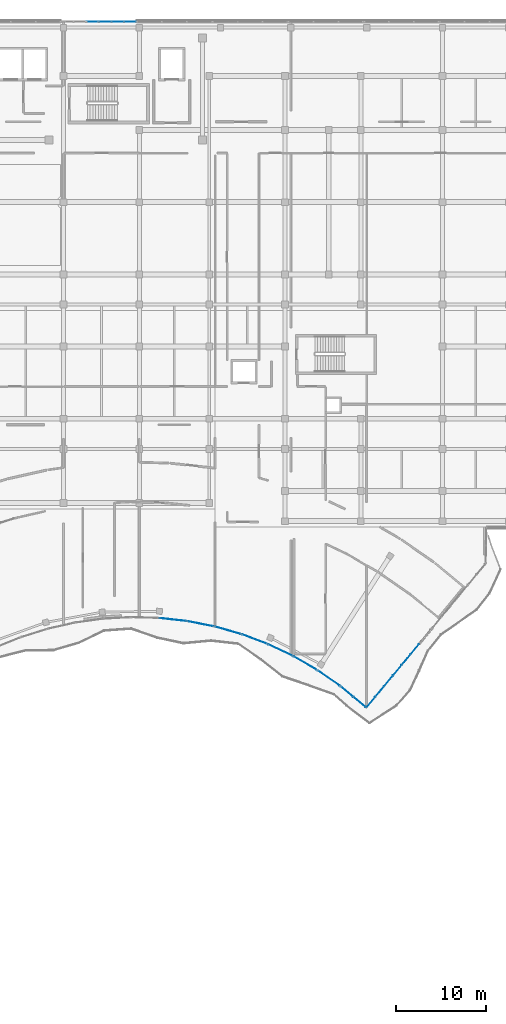
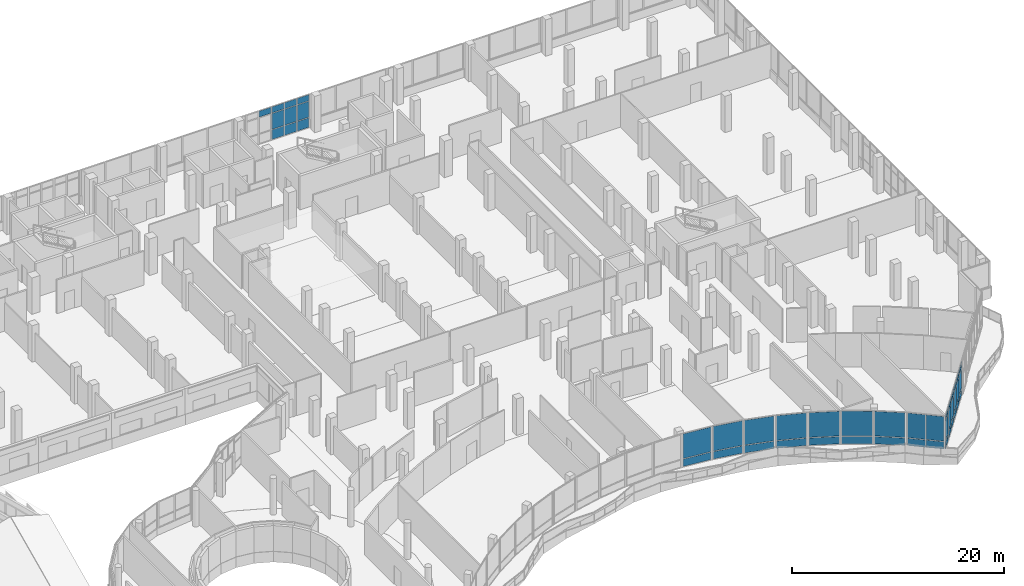
# One storey, part 156 of 184: 46 plates, 10 elements without a shape of their own.
"""IFC4 building model written with IfcOpenShell, lengths in metres."""

from ifc_helpers import new_model, si_unit, direction, frame, origin, origin_2d, place, context, subcontext, project, spatial, rectangle, extrude, material, layer, layer_set, type_object, element, aggregate, save


model = new_model("IFC4")

# Units and contexts
model_context = context("Model", 3, precision=1e-05, world=origin(), true_north=direction((0.0, 1.0)))
body_context = subcontext(model_context, "Body", "Model", "MODEL_VIEW")
ifc_project = project(units=[si_unit("LENGTHUNIT", "METRE"), si_unit("AREAUNIT", "SQUARE_METRE"), si_unit("VOLUMEUNIT", "CUBIC_METRE"), si_unit("PLANEANGLEUNIT", "RADIAN"), si_unit("MASSUNIT", "GRAM", prefix="KILO")], contexts=[model_context])

# Site, building, storey
site_placement = place(None, origin())
site = spatial("IfcSite", under=ifc_project, at=site_placement, CompositionType="ELEMENT")
building_placement = place(site_placement, origin())
building = spatial("IfcBuilding", under=site, at=building_placement, Name="Selatvlak General Hospital", CompositionType="ELEMENT")
storey_placement = place(building_placement, frame((0.0, 0.0, 15.0)))
storey = spatial("IfcBuildingStorey", under=building, at=storey_placement, Name="L03", CompositionType="ELEMENT", Elevation=15.0)

# Curtain wall, plates
ifc_material = material(Name="Solar-control Low-E double glazing", Category="glass")
curtain_wall_type_1 = type_object("IfcCurtainWallType", Name="CW-CW-04", PredefinedType="USERDEFINED", material=ifc_material)
curtain_wall_1_placement = place(storey_placement, origin())
curtain_wall_1 = element("IfcCurtainWall", 1, at=curtain_wall_1_placement, inside=storey, type_object=curtain_wall_type_1, Name="Glazed facade curtain wall CW-L03-0378", ObjectType="STICK GLAZING WALL", PredefinedType="USERDEFINED")
ifc_layer = layer(ifc_material, 0.028076171875, Name="Solar-control Low-E double glazing", Category="glass")
ifc_layer_set = layer_set([ifc_layer], Name="Solar-control Low-E double glazing")
plate_type = type_object("IfcPlateType", Name="CWP-01", PredefinedType="CURTAIN_PANEL", material=ifc_layer_set)
plate_1_placement = place(storey_placement, frame((135.213134765625, 120.0, 3.12744140625), z_axis=(0.0, 0.0, 1.0), x_axis=(1.0, 0.0, 0.0)))
plate_1 = element("IfcPlate", 2, at=plate_1_placement, type_object=plate_type, Name="CW-04 panel 3.3", PredefinedType="CURTAIN_PANEL", context=body_context, shape_type="SweptSolid", body=[
    extrude(rectangle(XDim=1.32666015625, YDim=0.028076171875, at=origin_2d()), origin(), (0.0, 0.0, 1.0), 0.702392578125),
])
plate_2_placement = place(storey_placement, frame((136.604736328125, 120.0, 0.06494140625), z_axis=(0.0, 0.0, 1.0), x_axis=(1.0, 0.0, 0.0)))
plate_2 = element("IfcPlate", 3, at=plate_2_placement, type_object=plate_type, Name="CW-04 panel 4.1", PredefinedType="CURTAIN_PANEL", context=body_context, shape_type="SweptSolid", body=[
    extrude(rectangle(XDim=1.32666015625, YDim=0.028076171875, at=origin_2d()), origin(), (0.0, 0.0, 1.0), 1.1025390625),
])
plate_3_placement = place(storey_placement, frame((136.604736328125, 120.0, 1.232421875), z_axis=(0.0, 0.0, 1.0), x_axis=(1.0, 0.0, 0.0)))
plate_3 = element("IfcPlate", 4, at=plate_3_placement, type_object=plate_type, Name="CW-04 panel 4.2", PredefinedType="CURTAIN_PANEL", context=body_context, shape_type="SweptSolid", body=[
    extrude(rectangle(XDim=1.32666015625, YDim=0.028076171875, at=origin_2d()), origin(), (0.0, 0.0, 1.0), 1.830078125),
])
plate_4_placement = place(storey_placement, frame((136.604736328125, 120.0, 3.12744140625), z_axis=(0.0, 0.0, 1.0), x_axis=(1.0, 0.0, 0.0)))
plate_4 = element("IfcPlate", 5, at=plate_4_placement, type_object=plate_type, Name="CW-04 panel 4.3", PredefinedType="CURTAIN_PANEL", context=body_context, shape_type="SweptSolid", body=[
    extrude(rectangle(XDim=1.32666015625, YDim=0.028076171875, at=origin_2d()), origin(), (0.0, 0.0, 1.0), 0.702392578125),
])
plate_5_placement = place(storey_placement, frame((137.99658203125, 120.0, 0.06494140625), z_axis=(0.0, 0.0, 1.0), x_axis=(1.0, 0.0, 0.0)))
plate_5 = element("IfcPlate", 6, at=plate_5_placement, type_object=plate_type, Name="CW-04 panel 5.1", PredefinedType="CURTAIN_PANEL", context=body_context, shape_type="SweptSolid", body=[
    extrude(rectangle(XDim=1.32666015625, YDim=0.028076171875, at=origin_2d()), origin(), (0.0, 0.0, 1.0), 1.1025390625),
])
plate_6_placement = place(storey_placement, frame((137.99658203125, 120.0, 1.232421875), z_axis=(0.0, 0.0, 1.0), x_axis=(1.0, 0.0, 0.0)))
plate_6 = element("IfcPlate", 7, at=plate_6_placement, type_object=plate_type, Name="CW-04 panel 5.2", PredefinedType="CURTAIN_PANEL", context=body_context, shape_type="SweptSolid", body=[
    extrude(rectangle(XDim=1.32666015625, YDim=0.028076171875, at=origin_2d()), origin(), (0.0, 0.0, 1.0), 1.830078125),
])
plate_7_placement = place(storey_placement, frame((137.99658203125, 120.0, 3.12744140625), z_axis=(0.0, 0.0, 1.0), x_axis=(1.0, 0.0, 0.0)))
plate_7 = element("IfcPlate", 8, at=plate_7_placement, type_object=plate_type, Name="CW-04 panel 5.3", PredefinedType="CURTAIN_PANEL", context=body_context, shape_type="SweptSolid", body=[
    extrude(rectangle(XDim=1.32666015625, YDim=0.028076171875, at=origin_2d()), origin(), (0.0, 0.0, 1.0), 0.702392578125),
])
plate_8_placement = place(storey_placement, frame((139.371826171875, 120.0, 0.06494140625), z_axis=(0.0, 0.0, 1.0), x_axis=(1.0, 0.0, 0.0)))
plate_8 = element("IfcPlate", 9, at=plate_8_placement, type_object=plate_type, Name="CW-04 panel 6.1", PredefinedType="CURTAIN_PANEL", context=body_context, shape_type="SweptSolid", body=[
    extrude(rectangle(XDim=1.294189453125, YDim=0.028076171875, at=origin_2d()), origin(), (0.0, 0.0, 1.0), 1.1025390625),
])
plate_9_placement = place(storey_placement, frame((139.371826171875, 120.0, 1.232421875), z_axis=(0.0, 0.0, 1.0), x_axis=(1.0, 0.0, 0.0)))
plate_9 = element("IfcPlate", 10, at=plate_9_placement, type_object=plate_type, Name="CW-04 panel 6.2", PredefinedType="CURTAIN_PANEL", context=body_context, shape_type="SweptSolid", body=[
    extrude(rectangle(XDim=1.294189453125, YDim=0.028076171875, at=origin_2d()), origin(), (0.0, 0.0, 1.0), 1.830078125),
])
plate_10_placement = place(storey_placement, frame((139.371826171875, 120.0, 3.12744140625), z_axis=(0.0, 0.0, 1.0), x_axis=(1.0, 0.0, 0.0)))
plate_10 = element("IfcPlate", 11, at=plate_10_placement, type_object=plate_type, Name="CW-04 panel 6.3", PredefinedType="CURTAIN_PANEL", context=body_context, shape_type="SweptSolid", body=[
    extrude(rectangle(XDim=1.294189453125, YDim=0.028076171875, at=origin_2d()), origin(), (0.0, 0.0, 1.0), 0.702392578125),
])
aggregate(curtain_wall_1, [plate_1, plate_2, plate_3, plate_4, plate_5, plate_6, plate_7, plate_8, plate_9, plate_10])

curtain_wall_type_2 = type_object("IfcCurtainWallType", Name="CW-CW-01", PredefinedType="USERDEFINED", material=ifc_material)
curtain_wall_2_placement = place(storey_placement, origin())
curtain_wall_2 = element("IfcCurtainWall", 12, at=curtain_wall_2_placement, inside=storey, type_object=curtain_wall_type_2, Name="Glazed facade curtain wall CW-L03-0395", ObjectType="UNITISED CURTAIN WALL", PredefinedType="USERDEFINED")
plate_11_placement = place(storey_placement, frame((170.93896484375, 50.4560546875, 0.06494140625), z_axis=(0.0, 0.0, 1.0), x_axis=(-0.637721247938, -0.770267232802, 0.0)))
plate_11 = element("IfcPlate", 13, at=plate_11_placement, type_object=plate_type, Name="CW-01 panel 1.1", PredefinedType="CURTAIN_PANEL", context=body_context, shape_type="SweptSolid", body=[
    extrude(rectangle(XDim=1.435302734375, YDim=0.028076171875, at=origin_2d()), origin(), (0.0, 0.0, 1.0), 0.802490234375),
])
plate_12_placement = place(storey_placement, frame((170.93896484375, 50.4560546875, 0.9326171875), z_axis=(0.0, 0.0, 1.0), x_axis=(-0.637721247938, -0.770267232802, 0.0)))
plate_12 = element("IfcPlate", 14, at=plate_12_placement, type_object=plate_type, Name="CW-01 panel 1.2", PredefinedType="CURTAIN_PANEL", context=body_context, shape_type="SweptSolid", body=[
    extrude(rectangle(XDim=1.435302734375, YDim=0.028076171875, at=origin_2d()), origin(), (0.0, 0.0, 1.0), 2.280029296875),
])
plate_13_placement = place(storey_placement, frame((170.93896484375, 50.4560546875, 3.27734375), z_axis=(0.0, 0.0, 1.0), x_axis=(-0.637721247938, -0.770267232802, 0.0)))
plate_13 = element("IfcPlate", 15, at=plate_13_placement, type_object=plate_type, Name="CW-01 panel 1.3", PredefinedType="CURTAIN_PANEL", context=body_context, shape_type="SweptSolid", body=[
    extrude(rectangle(XDim=1.435302734375, YDim=0.028076171875, at=origin_2d()), origin(), (0.0, 0.0, 1.0), 0.552490234375),
])
plate_14_placement = place(storey_placement, frame((169.9716796875, 49.2880859375, 0.06494140625), z_axis=(0.0, 0.0, 1.0), x_axis=(-0.637721247938, -0.770267232802, 0.0)))
plate_14 = element("IfcPlate", 16, at=plate_14_placement, type_object=plate_type, Name="CW-01 panel 2.1", PredefinedType="CURTAIN_PANEL", context=body_context, shape_type="SweptSolid", body=[
    extrude(rectangle(XDim=1.4677734375, YDim=0.028076171875, at=origin_2d()), origin(), (0.0, 0.0, 1.0), 0.802490234375),
])
plate_15_placement = place(storey_placement, frame((169.9716796875, 49.2880859375, 0.9326171875), z_axis=(0.0, 0.0, 1.0), x_axis=(-0.637721247938, -0.770267232802, 0.0)))
plate_15 = element("IfcPlate", 17, at=plate_15_placement, type_object=plate_type, Name="CW-01 panel 2.2", PredefinedType="CURTAIN_PANEL", context=body_context, shape_type="SweptSolid", body=[
    extrude(rectangle(XDim=1.4677734375, YDim=0.028076171875, at=origin_2d()), origin(), (0.0, 0.0, 1.0), 2.280029296875),
])
plate_16_placement = place(storey_placement, frame((169.9716796875, 49.2880859375, 3.27734375), z_axis=(0.0, 0.0, 1.0), x_axis=(-0.637721247938, -0.770267232802, 0.0)))
plate_16 = element("IfcPlate", 18, at=plate_16_placement, type_object=plate_type, Name="CW-01 panel 2.3", PredefinedType="CURTAIN_PANEL", context=body_context, shape_type="SweptSolid", body=[
    extrude(rectangle(XDim=1.4677734375, YDim=0.028076171875, at=origin_2d()), origin(), (0.0, 0.0, 1.0), 0.552490234375),
])
plate_17_placement = place(storey_placement, frame((168.994140625, 48.107421875, 0.06494140625), z_axis=(0.0, 0.0, 1.0), x_axis=(-0.637721247938, -0.770267232802, 0.0)))
plate_17 = element("IfcPlate", 19, at=plate_17_placement, type_object=plate_type, Name="CW-01 panel 3.1", PredefinedType="CURTAIN_PANEL", context=body_context, shape_type="SweptSolid", body=[
    extrude(rectangle(XDim=1.4677734375, YDim=0.028076171875, at=origin_2d()), origin(), (0.0, 0.0, 1.0), 0.802490234375),
])
plate_18_placement = place(storey_placement, frame((168.994140625, 48.107421875, 0.9326171875), z_axis=(0.0, 0.0, 1.0), x_axis=(-0.637721247938, -0.770267232802, 0.0)))
plate_18 = element("IfcPlate", 20, at=plate_18_placement, type_object=plate_type, Name="CW-01 panel 3.2", PredefinedType="CURTAIN_PANEL", context=body_context, shape_type="SweptSolid", body=[
    extrude(rectangle(XDim=1.4677734375, YDim=0.028076171875, at=origin_2d()), origin(), (0.0, 0.0, 1.0), 2.280029296875),
])
plate_19_placement = place(storey_placement, frame((168.994140625, 48.107421875, 3.27734375), z_axis=(0.0, 0.0, 1.0), x_axis=(-0.637721247938, -0.770267232802, 0.0)))
plate_19 = element("IfcPlate", 21, at=plate_19_placement, type_object=plate_type, Name="CW-01 panel 3.3", PredefinedType="CURTAIN_PANEL", context=body_context, shape_type="SweptSolid", body=[
    extrude(rectangle(XDim=1.4677734375, YDim=0.028076171875, at=origin_2d()), origin(), (0.0, 0.0, 1.0), 0.552490234375),
])
plate_20_placement = place(storey_placement, frame((168.016845703125, 46.9267578125, 0.06494140625), z_axis=(0.0, 0.0, 1.0), x_axis=(-0.637721247938, -0.770267232802, 0.0)))
plate_20 = element("IfcPlate", 22, at=plate_20_placement, type_object=plate_type, Name="CW-01 panel 4.1", PredefinedType="CURTAIN_PANEL", context=body_context, shape_type="SweptSolid", body=[
    extrude(rectangle(XDim=1.4677734375, YDim=0.028076171875, at=origin_2d()), origin(), (0.0, 0.0, 1.0), 0.802490234375),
])
plate_21_placement = place(storey_placement, frame((168.016845703125, 46.9267578125, 0.9326171875), z_axis=(0.0, 0.0, 1.0), x_axis=(-0.637721247938, -0.770267232802, 0.0)))
plate_21 = element("IfcPlate", 23, at=plate_21_placement, type_object=plate_type, Name="CW-01 panel 4.2", PredefinedType="CURTAIN_PANEL", context=body_context, shape_type="SweptSolid", body=[
    extrude(rectangle(XDim=1.4677734375, YDim=0.028076171875, at=origin_2d()), origin(), (0.0, 0.0, 1.0), 2.280029296875),
])
plate_22_placement = place(storey_placement, frame((168.016845703125, 46.9267578125, 3.27734375), z_axis=(0.0, 0.0, 1.0), x_axis=(-0.637721247938, -0.770267232802, 0.0)))
plate_22 = element("IfcPlate", 24, at=plate_22_placement, type_object=plate_type, Name="CW-01 panel 4.3", PredefinedType="CURTAIN_PANEL", context=body_context, shape_type="SweptSolid", body=[
    extrude(rectangle(XDim=1.4677734375, YDim=0.028076171875, at=origin_2d()), origin(), (0.0, 0.0, 1.0), 0.552490234375),
])
plate_23_placement = place(storey_placement, frame((167.039306640625, 45.74609375, 0.06494140625), z_axis=(0.0, 0.0, 1.0), x_axis=(-0.637721247938, -0.770267232802, 0.0)))
plate_23 = element("IfcPlate", 25, at=plate_23_placement, type_object=plate_type, Name="CW-01 panel 5.1", PredefinedType="CURTAIN_PANEL", context=body_context, shape_type="SweptSolid", body=[
    extrude(rectangle(XDim=1.4677734375, YDim=0.028076171875, at=origin_2d()), origin(), (0.0, 0.0, 1.0), 0.802490234375),
])
plate_24_placement = place(storey_placement, frame((167.039306640625, 45.74609375, 0.9326171875), z_axis=(0.0, 0.0, 1.0), x_axis=(-0.637721247938, -0.770267232802, 0.0)))
plate_24 = element("IfcPlate", 26, at=plate_24_placement, type_object=plate_type, Name="CW-01 panel 5.2", PredefinedType="CURTAIN_PANEL", context=body_context, shape_type="SweptSolid", body=[
    extrude(rectangle(XDim=1.4677734375, YDim=0.028076171875, at=origin_2d()), origin(), (0.0, 0.0, 1.0), 2.280029296875),
])
plate_25_placement = place(storey_placement, frame((167.039306640625, 45.74609375, 3.27734375), z_axis=(0.0, 0.0, 1.0), x_axis=(-0.637721247938, -0.770267232802, 0.0)))
plate_25 = element("IfcPlate", 27, at=plate_25_placement, type_object=plate_type, Name="CW-01 panel 5.3", PredefinedType="CURTAIN_PANEL", context=body_context, shape_type="SweptSolid", body=[
    extrude(rectangle(XDim=1.4677734375, YDim=0.028076171875, at=origin_2d()), origin(), (0.0, 0.0, 1.0), 0.552490234375),
])
plate_26_placement = place(storey_placement, frame((166.072021484375, 44.577880859375, 0.06494140625), z_axis=(0.0, 0.0, 1.0), x_axis=(-0.637721247938, -0.770267232802, 0.0)))
plate_26 = element("IfcPlate", 28, at=plate_26_placement, type_object=plate_type, Name="CW-01 panel 6.1", PredefinedType="CURTAIN_PANEL", context=body_context, shape_type="SweptSolid", body=[
    extrude(rectangle(XDim=1.435302734375, YDim=0.028076171875, at=origin_2d()), origin(), (0.0, 0.0, 1.0), 0.802490234375),
])
plate_27_placement = place(storey_placement, frame((166.072021484375, 44.577880859375, 0.9326171875), z_axis=(0.0, 0.0, 1.0), x_axis=(-0.637721247938, -0.770267232802, 0.0)))
plate_27 = element("IfcPlate", 29, at=plate_27_placement, type_object=plate_type, Name="CW-01 panel 6.2", PredefinedType="CURTAIN_PANEL", context=body_context, shape_type="SweptSolid", body=[
    extrude(rectangle(XDim=1.435302734375, YDim=0.028076171875, at=origin_2d()), origin(), (0.0, 0.0, 1.0), 2.280029296875),
])
plate_28_placement = place(storey_placement, frame((166.072021484375, 44.577880859375, 3.27734375), z_axis=(0.0, 0.0, 1.0), x_axis=(-0.637721247938, -0.770267232802, 0.0)))
plate_28 = element("IfcPlate", 30, at=plate_28_placement, type_object=plate_type, Name="CW-01 panel 6.3", PredefinedType="CURTAIN_PANEL", context=body_context, shape_type="SweptSolid", body=[
    extrude(rectangle(XDim=1.435302734375, YDim=0.028076171875, at=origin_2d()), origin(), (0.0, 0.0, 1.0), 0.552490234375),
])
aggregate(curtain_wall_2, [plate_11, plate_12, plate_13, plate_14, plate_15, plate_16, plate_17, plate_18, plate_19, plate_20, plate_21, plate_22, plate_23, plate_24, plate_25, plate_26, plate_27, plate_28])

curtain_wall_type_3 = type_object("IfcCurtainWallType", Name="CW-CW-02", PredefinedType="USERDEFINED", material=ifc_material)
curtain_wall_3_placement = place(storey_placement, origin())
curtain_wall_3 = element("IfcCurtainWall", 31, at=curtain_wall_3_placement, inside=storey, type_object=curtain_wall_type_3, Name="Glazed facade curtain wall CW-L03-0396", ObjectType="UNITISED CURTAIN WALL", PredefinedType="USERDEFINED")
plate_29_placement = place(storey_placement, frame((164.799560546875, 44.599365234375, 0.06494140625), z_axis=(0.0, 0.0, 1.0), x_axis=(-0.768311109864, 0.640076587964, 0.0)))
plate_29 = element("IfcPlate", 32, at=plate_29_placement, type_object=plate_type, Name="CW-02 panel 1.1", PredefinedType="CURTAIN_PANEL", context=body_context, shape_type="SweptSolid", body=[
    extrude(rectangle(XDim=1.727294921875, YDim=0.028076171875, at=origin_2d()), origin(), (0.0, 0.0, 1.0), 0.8525390625),
])
plate_30_placement = place(storey_placement, frame((164.799560546875, 44.599365234375, 0.982421875), z_axis=(0.0, 0.0, 1.0), x_axis=(-0.768311109864, 0.640076587964, 0.0)))
plate_30 = element("IfcPlate", 33, at=plate_30_placement, type_object=plate_type, Name="CW-02 panel 1.2", PredefinedType="CURTAIN_PANEL", context=body_context, shape_type="SweptSolid", body=[
    extrude(rectangle(XDim=1.727294921875, YDim=0.028076171875, at=origin_2d()), origin(), (0.0, 0.0, 1.0), 2.847412109375),
])
plate_31_placement = place(storey_placement, frame((163.42236328125, 45.74658203125, 0.06494140625), z_axis=(0.0, 0.0, 1.0), x_axis=(-0.768311109864, 0.640076587964, 0.0)))
plate_31 = element("IfcPlate", 34, at=plate_31_placement, type_object=plate_type, Name="CW-02 panel 2.1", PredefinedType="CURTAIN_PANEL", context=body_context, shape_type="SweptSolid", body=[
    extrude(rectangle(XDim=1.727294921875, YDim=0.028076171875, at=origin_2d()), origin(), (0.0, 0.0, 1.0), 0.8525390625),
])
plate_32_placement = place(storey_placement, frame((163.42236328125, 45.74658203125, 0.982421875), z_axis=(0.0, 0.0, 1.0), x_axis=(-0.768311109864, 0.640076587964, 0.0)))
plate_32 = element("IfcPlate", 35, at=plate_32_placement, type_object=plate_type, Name="CW-02 panel 2.2", PredefinedType="CURTAIN_PANEL", context=body_context, shape_type="SweptSolid", body=[
    extrude(rectangle(XDim=1.727294921875, YDim=0.028076171875, at=origin_2d()), origin(), (0.0, 0.0, 1.0), 2.847412109375),
])
aggregate(curtain_wall_3, [plate_29, plate_30, plate_31, plate_32])

curtain_wall_4_placement = place(storey_placement, origin())
curtain_wall_4 = element("IfcCurtainWall", 36, at=curtain_wall_4_placement, inside=storey, type_object=curtain_wall_type_2, Name="Glazed facade curtain wall CW-L03-0397", ObjectType="UNITISED CURTAIN WALL", PredefinedType="USERDEFINED")
plate_33_placement = place(storey_placement, frame((161.39990234375, 47.2548828125, 0.06494140625), z_axis=(0.0, 0.0, 1.0), x_axis=(-0.82071690008, 0.571335076749, 0.0)))
plate_33 = element("IfcPlate", 37, at=plate_33_placement, type_object=plate_type, Name="CW-01 panel 1.1", PredefinedType="CURTAIN_PANEL", context=body_context, shape_type="SweptSolid", body=[
    extrude(rectangle(XDim=2.901611328125, YDim=0.028076171875, at=origin_2d()), origin(), (0.0, 0.0, 1.0), 0.8525390625),
])
plate_34_placement = place(storey_placement, frame((161.39990234375, 47.2548828125, 0.982421875), z_axis=(0.0, 0.0, 1.0), x_axis=(-0.82071690008, 0.571335076749, 0.0)))
plate_34 = element("IfcPlate", 38, at=plate_34_placement, type_object=plate_type, Name="CW-01 panel 1.2", PredefinedType="CURTAIN_PANEL", context=body_context, shape_type="SweptSolid", body=[
    extrude(rectangle(XDim=2.901611328125, YDim=0.028076171875, at=origin_2d()), origin(), (0.0, 0.0, 1.0), 2.847412109375),
])
aggregate(curtain_wall_4, [plate_33, plate_34])

curtain_wall_5_placement = place(storey_placement, origin())
curtain_wall_5 = element("IfcCurtainWall", 39, at=curtain_wall_5_placement, inside=storey, type_object=curtain_wall_type_3, Name="Glazed facade curtain wall CW-L03-0398", ObjectType="UNITISED CURTAIN WALL", PredefinedType="USERDEFINED")
plate_35_placement = place(storey_placement, frame((158.77587890625, 48.923583984375, 0.06494140625), z_axis=(0.0, 0.0, 1.0), x_axis=(-0.865162807212, 0.501491093657, 0.0)))
plate_35 = element("IfcPlate", 40, at=plate_35_placement, type_object=plate_type, Name="CW-02 panel 1.1", PredefinedType="CURTAIN_PANEL", context=body_context, shape_type="SweptSolid", body=[
    extrude(rectangle(XDim=2.903076171875, YDim=0.028076171875, at=origin_2d()), origin(), (0.0, 0.0, 1.0), 0.8525390625),
])
plate_36_placement = place(storey_placement, frame((158.77587890625, 48.923583984375, 0.982421875), z_axis=(0.0, 0.0, 1.0), x_axis=(-0.865162807212, 0.501491093657, 0.0)))
plate_36 = element("IfcPlate", 41, at=plate_36_placement, type_object=plate_type, Name="CW-02 panel 1.2", PredefinedType="CURTAIN_PANEL", context=body_context, shape_type="SweptSolid", body=[
    extrude(rectangle(XDim=2.903076171875, YDim=0.028076171875, at=origin_2d()), origin(), (0.0, 0.0, 1.0), 2.847412109375),
])
aggregate(curtain_wall_5, [plate_35, plate_36])

curtain_wall_6_placement = place(storey_placement, origin())
curtain_wall_6 = element("IfcCurtainWall", 42, at=curtain_wall_6_placement, inside=storey, type_object=curtain_wall_type_2, Name="Glazed facade curtain wall CW-L03-0399", ObjectType="UNITISED CURTAIN WALL", PredefinedType="USERDEFINED")
plate_37_placement = place(storey_placement, frame((156.021484375, 50.368896484375, 0.06494140625), z_axis=(0.0, 0.0, 1.0), x_axis=(-0.903529659343, 0.428525558966, 0.0)))
plate_37 = element("IfcPlate", 43, at=plate_37_placement, type_object=plate_type, Name="CW-01 panel 1.1", PredefinedType="CURTAIN_PANEL", context=body_context, shape_type="SweptSolid", body=[
    extrude(rectangle(XDim=2.903564453125, YDim=0.028076171875, at=origin_2d()), origin(), (0.0, 0.0, 1.0), 0.8525390625),
])
plate_38_placement = place(storey_placement, frame((156.021484375, 50.368896484375, 0.982421875), z_axis=(0.0, 0.0, 1.0), x_axis=(-0.903529659343, 0.428525558966, 0.0)))
plate_38 = element("IfcPlate", 44, at=plate_38_placement, type_object=plate_type, Name="CW-01 panel 1.2", PredefinedType="CURTAIN_PANEL", context=body_context, shape_type="SweptSolid", body=[
    extrude(rectangle(XDim=2.903564453125, YDim=0.028076171875, at=origin_2d()), origin(), (0.0, 0.0, 1.0), 2.847412109375),
])
aggregate(curtain_wall_6, [plate_37, plate_38])

curtain_wall_7_placement = place(storey_placement, origin())
curtain_wall_7 = element("IfcCurtainWall", 45, at=curtain_wall_7_placement, inside=storey, type_object=curtain_wall_type_3, Name="Glazed facade curtain wall CW-L03-0400", ObjectType="UNITISED CURTAIN WALL", PredefinedType="USERDEFINED")
plate_39_placement = place(storey_placement, frame((153.157470703125, 51.58154296875, 0.06494140625), z_axis=(0.0, 0.0, 1.0), x_axis=(-0.935989779927, 0.352027174905, 0.0)))
plate_39 = element("IfcPlate", 46, at=plate_39_placement, type_object=plate_type, Name="CW-02 panel 1.1", PredefinedType="CURTAIN_PANEL", context=body_context, shape_type="SweptSolid", body=[
    extrude(rectangle(XDim=2.901123046875, YDim=0.028076171875, at=origin_2d()), origin(), (0.0, 0.0, 1.0), 0.8525390625),
])
plate_40_placement = place(storey_placement, frame((153.157470703125, 51.58154296875, 0.982421875), z_axis=(0.0, 0.0, 1.0), x_axis=(-0.935989779927, 0.352027174905, 0.0)))
plate_40 = element("IfcPlate", 47, at=plate_40_placement, type_object=plate_type, Name="CW-02 panel 1.2", PredefinedType="CURTAIN_PANEL", context=body_context, shape_type="SweptSolid", body=[
    extrude(rectangle(XDim=2.901123046875, YDim=0.028076171875, at=origin_2d()), origin(), (0.0, 0.0, 1.0), 2.847412109375),
])
aggregate(curtain_wall_7, [plate_39, plate_40])

curtain_wall_8_placement = place(storey_placement, origin())
curtain_wall_8 = element("IfcCurtainWall", 48, at=curtain_wall_8_placement, inside=storey, type_object=curtain_wall_type_2, Name="Glazed facade curtain wall CW-L03-0401", ObjectType="UNITISED CURTAIN WALL", PredefinedType="USERDEFINED")
plate_41_placement = place(storey_placement, frame((150.205078125, 52.551513671875, 0.06494140625), z_axis=(0.0, 0.0, 1.0), x_axis=(-0.962057469853, 0.272846888748, 0.0)))
plate_41 = element("IfcPlate", 49, at=plate_41_placement, type_object=plate_type, Name="CW-01 panel 1.1", PredefinedType="CURTAIN_PANEL", context=body_context, shape_type="SweptSolid", body=[
    extrude(rectangle(XDim=2.901123046875, YDim=0.028076171875, at=origin_2d()), origin(), (0.0, 0.0, 1.0), 0.8525390625),
])
plate_42_placement = place(storey_placement, frame((150.205078125, 52.551513671875, 0.982421875), z_axis=(0.0, 0.0, 1.0), x_axis=(-0.962057469853, 0.272846888748, 0.0)))
plate_42 = element("IfcPlate", 50, at=plate_42_placement, type_object=plate_type, Name="CW-01 panel 1.2", PredefinedType="CURTAIN_PANEL", context=body_context, shape_type="SweptSolid", body=[
    extrude(rectangle(XDim=2.901123046875, YDim=0.028076171875, at=origin_2d()), origin(), (0.0, 0.0, 1.0), 2.847412109375),
])
aggregate(curtain_wall_8, [plate_41, plate_42])

curtain_wall_9_placement = place(storey_placement, origin())
curtain_wall_9 = element("IfcCurtainWall", 51, at=curtain_wall_9_placement, inside=storey, type_object=curtain_wall_type_3, Name="Glazed facade curtain wall CW-L03-0402", ObjectType="UNITISED CURTAIN WALL", PredefinedType="USERDEFINED")
plate_43_placement = place(storey_placement, frame((147.180908203125, 53.2734375, 0.06494140625), z_axis=(0.0, 0.0, 1.0), x_axis=(-0.981346698428, 0.192246345827, 0.0)))
plate_43 = element("IfcPlate", 52, at=plate_43_placement, type_object=plate_type, Name="CW-02 panel 1.1", PredefinedType="CURTAIN_PANEL", context=body_context, shape_type="SweptSolid", body=[
    extrude(rectangle(XDim=2.902587890625, YDim=0.028076171875, at=origin_2d()), origin(), (0.0, 0.0, 1.0), 0.8525390625),
])
plate_44_placement = place(storey_placement, frame((147.180908203125, 53.2734375, 0.982421875), z_axis=(0.0, 0.0, 1.0), x_axis=(-0.981346698428, 0.192246345827, 0.0)))
plate_44 = element("IfcPlate", 53, at=plate_44_placement, type_object=plate_type, Name="CW-02 panel 1.2", PredefinedType="CURTAIN_PANEL", context=body_context, shape_type="SweptSolid", body=[
    extrude(rectangle(XDim=2.902587890625, YDim=0.028076171875, at=origin_2d()), origin(), (0.0, 0.0, 1.0), 2.847412109375),
])
aggregate(curtain_wall_9, [plate_43, plate_44])

curtain_wall_10_placement = place(storey_placement, origin())
curtain_wall_10 = element("IfcCurtainWall", 54, at=curtain_wall_10_placement, inside=storey, type_object=curtain_wall_type_2, Name="Glazed facade curtain wall CW-L03-0403", ObjectType="UNITISED CURTAIN WALL", PredefinedType="USERDEFINED")
plate_45_placement = place(storey_placement, frame((144.10546875, 53.742431640625, 0.06494140625), z_axis=(0.0, 0.0, 1.0), x_axis=(-0.993955887919, 0.109780202548, 0.0)))
plate_45 = element("IfcPlate", 55, at=plate_45_placement, type_object=plate_type, Name="CW-01 panel 1.1", PredefinedType="CURTAIN_PANEL", context=body_context, shape_type="SweptSolid", body=[
    extrude(rectangle(XDim=2.9033203125, YDim=0.028076171875, at=origin_2d()), origin(), (0.0, 0.0, 1.0), 0.8525390625),
])
plate_46_placement = place(storey_placement, frame((144.10546875, 53.742431640625, 0.982421875), z_axis=(0.0, 0.0, 1.0), x_axis=(-0.993955887919, 0.109780202548, 0.0)))
plate_46 = element("IfcPlate", 56, at=plate_46_placement, type_object=plate_type, Name="CW-01 panel 1.2", PredefinedType="CURTAIN_PANEL", context=body_context, shape_type="SweptSolid", body=[
    extrude(rectangle(XDim=2.9033203125, YDim=0.028076171875, at=origin_2d()), origin(), (0.0, 0.0, 1.0), 2.847412109375),
])
aggregate(curtain_wall_10, [plate_45, plate_46])

save(model, "model.ifc")
